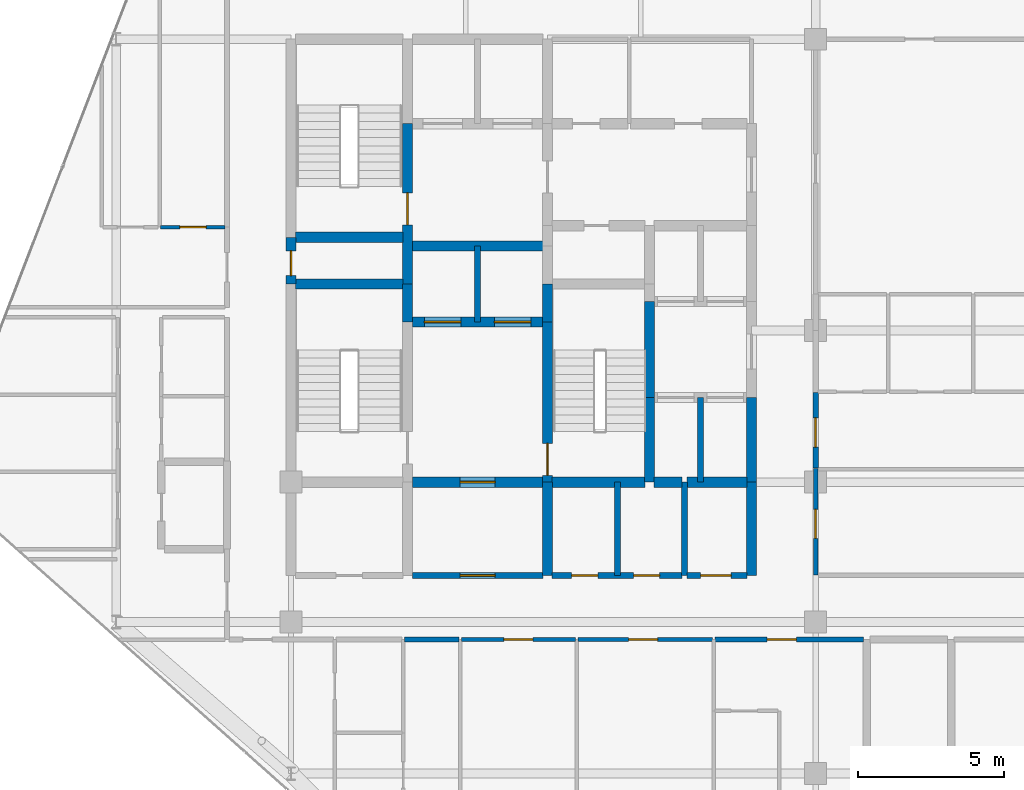
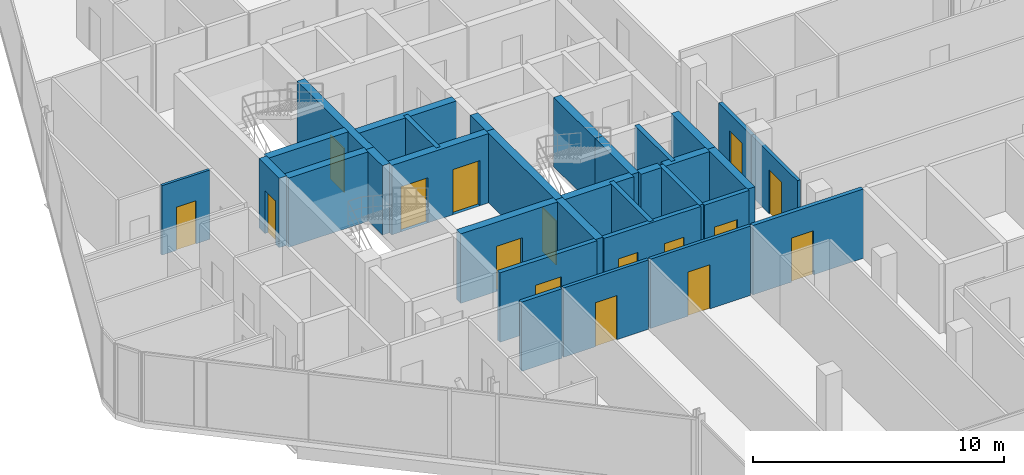
# One storey, part 24 of 29: 32 walls, 16 doors, 16 openings.
"""IFC4 building model written with IfcOpenShell, lengths in metres."""

from ifc_helpers import new_model, si_unit, direction, frame, frame_2d, origin, place, context, subcontext, project, spatial, rectangle, extrude, material, layer, layer_set, type_object, element, fill, save


model = new_model("IFC4")

# Units and contexts
model_context = context("Model", 3, precision=1e-05, world=origin(), true_north=direction((0.0, 1.0)))
body_context = subcontext(model_context, "Body", "Model", "MODEL_VIEW")
ifc_project = project(units=[si_unit("LENGTHUNIT", "METRE"), si_unit("AREAUNIT", "SQUARE_METRE"), si_unit("VOLUMEUNIT", "CUBIC_METRE"), si_unit("PLANEANGLEUNIT", "RADIAN"), si_unit("MASSUNIT", "GRAM", prefix="KILO")], contexts=[model_context])

# Site, building, storey
site_placement = place(None, origin())
site = spatial("IfcSite", under=ifc_project, at=site_placement, CompositionType="ELEMENT")
building_placement = place(site_placement, origin())
building = spatial("IfcBuilding", under=site, at=building_placement, Name="Keshet Zoharim Tower", CompositionType="ELEMENT")
storey_placement = place(building_placement, frame((0.0, 0.0, 214.300048828125)))
storey = spatial("IfcBuildingStorey", under=building, at=storey_placement, Name="L53", CompositionType="ELEMENT", Elevation=214.300048828125)

# Wall, opening, door
ifc_material_1 = material(Name="Gypsum Plasterboard", Category="gypsum")
ifc_layer_1 = layer(ifc_material_1, 0.14990234375)
ifc_layer_set_1 = layer_set([ifc_layer_1], Name="Gypsum Plasterboard")
wall_type_1 = type_object("IfcWallType", Name="WL-CLIN-150", PredefinedType="STANDARD", material=ifc_layer_set_1)
wall_1_placement = place(storey_placement, frame((33.0, 19.510009765625, 0.0), z_axis=(0.0, 0.0, 1.0), x_axis=(0.0, 1.0, 0.0)))
wall_1 = element("IfcWall", 1, at=wall_1_placement, inside=storey, type_object=wall_type_1, Name="L53 Interior Wall 068", PredefinedType="STANDARD", context=body_context, shape_type="SweptSolid", body=[
    extrude(rectangle(XDim=3.659912109375, YDim=0.14990234375, at=frame_2d((1.830078125, 0.0))), origin(), (0.0, 0.0, 1.0), 2.97998046875),
])
opening_1_placement = place(wall_1_placement, frame((1.258056640625, 0.0, 0.0)))
opening_1 = element("IfcOpeningElement", 2, at=opening_1_placement, cuts=wall_1, Name="Opening D-F310", PredefinedType="OPENING", context=body_context, shape_type="SweptSolid", body=[
    extrude(rectangle(XDim=1.0, YDim=2.14990234375, at=frame_2d((0.5, 1.074951171875))), frame((0.0, 0.0849609375, 0.0), z_axis=(0.0, -1.0, 0.0), x_axis=(1.0, 0.0, 0.0)), (0.0, 0.0, 1.0), 0.169921875),
])
ifc_material_2 = material(Name="Hardwood Timber", Category="wood")
door_type_1 = type_object("IfcDoorType", Name="DR-FD30-100", OperationType="NOTDEFINED", PredefinedType="DOOR", material=ifc_material_2)
door_1_placement = place(opening_1_placement, origin())
door_1 = element("IfcDoor", 3, at=door_1_placement, inside=storey, type_object=door_type_1, Name="L53 South East Residents Services Suite Door 2", OperationType="SINGLE_SWING_LEFT", OverallHeight=2.14990234375, OverallWidth=1.0, PredefinedType="DOOR", context=body_context, shape_type="SweptSolid", body=[
    extrude(rectangle(XDim=1.0, YDim=2.14990234375, at=frame_2d((0.5, 1.074951171875))), frame((0.0, 0.02490234375, 0.0), z_axis=(0.0, -1.0, 0.0), x_axis=(1.0, 0.0, 0.0)), (0.0, 0.0, 1.0), 0.050048828125),
])
fill(opening_1, door_1)

wall_2_placement = place(storey_placement, frame((20.844970703125, 17.300048828125, 0.0), z_axis=(0.0, 0.0, 1.0), x_axis=(1.0, 0.0, 0.0)))
wall_2 = element("IfcWall", 4, at=wall_2_placement, inside=storey, type_object=wall_type_1, Name="L53 Interior Wall 121", PredefinedType="STANDARD", context=body_context, shape_type="SweptSolid", body=[
    extrude(rectangle(XDim=3.909912109375, YDim=0.14990234375, at=frame_2d((1.955078125, 0.0))), origin(), (0.0, 0.0, 1.0), 3.3798828125),
])
opening_2_placement = place(wall_2_placement, frame((1.455078125, 0.0, 0.0)))
opening_2 = element("IfcOpeningElement", 5, at=opening_2_placement, cuts=wall_2, Name="Opening D-F310", PredefinedType="OPENING", context=body_context, shape_type="SweptSolid", body=[
    extrude(rectangle(XDim=1.0, YDim=2.14990234375, at=frame_2d((0.5, 1.074951171875))), frame((0.0, 0.0849609375, 0.0), z_axis=(0.0, -1.0, 0.0), x_axis=(1.0, 0.0, 0.0)), (0.0, 0.0, 1.0), 0.169921875),
])
door_2_placement = place(opening_2_placement, origin())
door_2 = element("IfcDoor", 6, at=door_2_placement, inside=storey, type_object=door_type_1, Name="L53 Residents Music Studio Door", OperationType="SINGLE_SWING_RIGHT", OverallHeight=2.14990234375, OverallWidth=1.0, PredefinedType="DOOR", context=body_context, shape_type="SweptSolid", body=[
    extrude(rectangle(XDim=1.0, YDim=2.14990234375, at=frame_2d((0.5, 1.074951171875))), frame((0.0, 0.02490234375, 0.0), z_axis=(0.0, -1.0, 0.0), x_axis=(1.0, 0.0, 0.0)), (0.0, 0.0, 1.0), 0.050048828125),
])
fill(opening_2, door_2)

wall_3_placement = place(storey_placement, frame((24.844970703125, 17.300048828125, 0.0), z_axis=(0.0, 0.0, 1.0), x_axis=(1.0, 0.0, 0.0)))
wall_3 = element("IfcWall", 7, at=wall_3_placement, inside=storey, type_object=wall_type_1, Name="L53 Interior Wall 122", PredefinedType="STANDARD", context=body_context, shape_type="SweptSolid", body=[
    extrude(rectangle(XDim=4.610107421875, YDim=0.14990234375, at=frame_2d((2.30517578125, 0.0))), origin(), (0.0, 0.0, 1.0), 3.3798828125),
])
opening_3_placement = place(wall_3_placement, frame((1.73388671875, 0.0, 0.0)))
opening_3 = element("IfcOpeningElement", 8, at=opening_3_placement, cuts=wall_3, Name="Opening D-F310", PredefinedType="OPENING", context=body_context, shape_type="SweptSolid", body=[
    extrude(rectangle(XDim=1.0, YDim=2.14990234375, at=frame_2d((0.5, 1.074951171875))), frame((0.0, 0.0849609375, 0.0), z_axis=(0.0, -1.0, 0.0), x_axis=(1.0, 0.0, 0.0)), (0.0, 0.0, 1.0), 0.169921875),
])
door_3_placement = place(opening_3_placement, origin())
door_3 = element("IfcDoor", 9, at=door_3_placement, inside=storey, type_object=door_type_1, Name="L53 Residents Art Workshop Door", OperationType="SINGLE_SWING_LEFT", OverallHeight=2.14990234375, OverallWidth=1.0, PredefinedType="DOOR", context=body_context, shape_type="SweptSolid", body=[
    extrude(rectangle(XDim=1.0, YDim=2.14990234375, at=frame_2d((0.5, 1.074951171875))), frame((0.0, 0.02490234375, 0.0), z_axis=(0.0, -1.0, 0.0), x_axis=(1.0, 0.0, 0.0)), (0.0, 0.0, 1.0), 0.050048828125),
])
fill(opening_3, door_3)

ifc_material_3 = material(Name="Concrete C60/75", Category="concrete")
ifc_layer_2 = layer(ifc_material_3, 0.35009765625)
ifc_layer_set_2 = layer_set([ifc_layer_2], Name="Concrete C60/75")
wall_type_2 = type_object("IfcWallType", Name="WL-CORE-350", PredefinedType="SHEAR", material=ifc_layer_set_2)
wall_4_placement = place(storey_placement, frame((15.0, 29.5, 0.0), z_axis=(0.0, 0.0, 1.0), x_axis=(0.0, 1.0, 0.0)))
wall_4 = element("IfcWall", 10, at=wall_4_placement, inside=storey, type_object=wall_type_2, Name="L53 Core Shear Wall 015", PredefinedType="SHEAR", context=body_context, shape_type="SweptSolid", body=[
    extrude(rectangle(XDim=1.60009765625, YDim=0.35009765625, at=frame_2d((0.800048828125, 0.0))), origin(), (0.0, 0.0, 1.0), 3.3798828125),
])
opening_4_placement = place(wall_4_placement, frame((0.287109375, 0.0, 0.0)))
opening_4 = element("IfcOpeningElement", 11, at=opening_4_placement, cuts=wall_4, Name="Opening D-RS85", PredefinedType="OPENING", context=body_context, shape_type="SweptSolid", body=[
    extrude(rectangle(XDim=0.85009765625, YDim=2.10009765625, at=frame_2d((0.425048828125, 1.050048828125))), frame((0.0, 0.18505859375, 0.0), z_axis=(0.0, -1.0, 0.0), x_axis=(1.0, 0.0, 0.0)), (0.0, 0.0, 1.0), 0.3701171875),
])
door_type_2 = type_object("IfcDoorType", Name="DR-RIS-085", OperationType="NOTDEFINED", PredefinedType="DOOR", material=ifc_material_2)
door_4_placement = place(opening_4_placement, origin())
door_4 = element("IfcDoor", 12, at=door_4_placement, inside=storey, type_object=door_type_2, Name="L53 Electrical Riser Access Cupboard Door", OperationType="SINGLE_SWING_RIGHT", OverallHeight=2.10009765625, OverallWidth=0.85009765625, PredefinedType="DOOR", context=body_context, shape_type="SweptSolid", body=[
    extrude(rectangle(XDim=0.85009765625, YDim=2.10009765625, at=frame_2d((0.425048828125, 1.050048828125))), frame((0.0, 0.02490234375, 0.0), z_axis=(0.0, -1.0, 0.0), x_axis=(1.0, 0.0, 0.0)), (0.0, 0.0, 1.0), 0.050048828125),
])
fill(opening_4, door_4)

# Wall
wall_5_placement = place(storey_placement, frame((19.0, 28.199951171875, 0.0), z_axis=(0.0, 0.0, 1.0), x_axis=(0.0, 1.0, 0.0)))
element("IfcWall", 13, at=wall_5_placement, inside=storey, type_object=wall_type_2, Name="L53 Core Shear Wall 027", PredefinedType="SHEAR", context=body_context, shape_type="SweptSolid", body=[
    extrude(rectangle(XDim=1.300048828125, YDim=0.35009765625, at=frame_2d((0.64990234375, 0.0))), origin(), (0.0, 0.0, 1.0), 3.3798828125),
])

# Wall, opening, door
wall_6_placement = place(storey_placement, frame((19.0, 29.5, 0.0), z_axis=(0.0, 0.0, 1.0), x_axis=(0.0, 1.0, 0.0)))
wall_6 = element("IfcWall", 14, at=wall_6_placement, inside=storey, type_object=wall_type_2, Name="L53 Core Shear Wall 028", PredefinedType="SHEAR", context=body_context, shape_type="SweptSolid", body=[
    extrude(rectangle(XDim=5.5, YDim=0.35009765625, at=frame_2d((2.75, 0.0))), origin(), (0.0, 0.0, 1.0), 3.3798828125),
])
opening_5_placement = place(wall_6_placement, frame((2.02490234375, 0.0, 0.0)))
opening_5 = element("IfcOpeningElement", 15, at=opening_5_placement, cuts=wall_6, Name="Opening D-F611", PredefinedType="OPENING", context=body_context, shape_type="SweptSolid", body=[
    extrude(rectangle(XDim=1.10009765625, YDim=2.14990234375, at=frame_2d((0.550048828125, 1.074951171875))), frame((0.0, 0.18505859375, 0.0), z_axis=(0.0, -1.0, 0.0), x_axis=(1.0, 0.0, 0.0)), (0.0, 0.0, 1.0), 0.3701171875),
])
door_type_3 = type_object("IfcDoorType", Name="DR-FD60-110", OperationType="NOTDEFINED", PredefinedType="DOOR", material=ifc_material_2)
door_5_placement = place(opening_5_placement, origin())
door_5 = element("IfcDoor", 16, at=door_5_placement, inside=storey, type_object=door_type_3, Name="L53 Exit Stair ST-02 Fire Door", OperationType="SINGLE_SWING_RIGHT", OverallHeight=2.14990234375, OverallWidth=1.10009765625, PredefinedType="DOOR", context=body_context, shape_type="SweptSolid", body=[
    extrude(rectangle(XDim=1.10009765625, YDim=2.14990234375, at=frame_2d((0.550048828125, 1.074951171875))), frame((0.0, 0.02490234375, 0.0), z_axis=(0.0, -1.0, 0.0), x_axis=(1.0, 0.0, 0.0)), (0.0, 0.0, 1.0), 0.050048828125),
])
fill(opening_5, door_5)

# Wall
wall_7_placement = place(storey_placement, frame((23.800048828125, 19.5, 0.0), z_axis=(0.0, 0.0, 1.0), x_axis=(0.0, 1.0, 0.0)))
element("IfcWall", 17, at=wall_7_placement, inside=storey, type_object=wall_type_2, Name="L53 Core Shear Wall 037", PredefinedType="SHEAR", context=body_context, shape_type="SweptSolid", body=[
    extrude(rectangle(XDim=3.199951171875, YDim=0.35009765625, at=frame_2d((1.60009765625, 0.0))), origin(), (0.0, 0.0, 1.0), 3.3798828125),
])

# Wall, opening, door
wall_8_placement = place(storey_placement, frame((23.800048828125, 22.699951171875, 0.0), z_axis=(0.0, 0.0, 1.0), x_axis=(0.0, 1.0, 0.0)))
wall_8 = element("IfcWall", 18, at=wall_8_placement, inside=storey, type_object=wall_type_2, Name="L53 Core Shear Wall 038", PredefinedType="SHEAR", context=body_context, shape_type="SweptSolid", body=[
    extrude(rectangle(XDim=5.5, YDim=0.35009765625, at=frame_2d((2.75, 0.0))), origin(), (0.0, 0.0, 1.0), 3.3798828125),
])
opening_6_placement = place(wall_8_placement, frame((0.235107421875, 0.0, 0.0)))
opening_6 = element("IfcOpeningElement", 19, at=opening_6_placement, cuts=wall_8, Name="Opening D-F611", PredefinedType="OPENING", context=body_context, shape_type="SweptSolid", body=[
    extrude(rectangle(XDim=1.10009765625, YDim=2.14990234375, at=frame_2d((0.550048828125, 1.074951171875))), frame((0.0, 0.18505859375, 0.0), z_axis=(0.0, -1.0, 0.0), x_axis=(1.0, 0.0, 0.0)), (0.0, 0.0, 1.0), 0.3701171875),
])
door_6_placement = place(opening_6_placement, frame((1.10009765625, 0.0, 0.0), z_axis=(0.0, 0.0, 1.0), x_axis=(-1.0, 0.0, 0.0)))
door_6 = element("IfcDoor", 20, at=door_6_placement, inside=storey, type_object=door_type_3, Name="L53 Exit Stair ST-03 Fire Door", OperationType="SINGLE_SWING_LEFT", OverallHeight=2.14990234375, OverallWidth=1.10009765625, PredefinedType="DOOR", context=body_context, shape_type="SweptSolid", body=[
    extrude(rectangle(XDim=1.10009765625, YDim=2.14990234375, at=frame_2d((0.550048828125, 1.074951171875))), frame((0.0, 0.02490234375, 0.0), z_axis=(0.0, -1.0, 0.0), x_axis=(1.0, 0.0, 0.0)), (0.0, 0.0, 1.0), 0.050048828125),
])
fill(opening_6, door_6)

# Walls
wall_9_placement = place(storey_placement, frame((23.800048828125, 28.199951171875, 0.0), z_axis=(0.0, 0.0, 1.0), x_axis=(0.0, 1.0, 0.0)))
element("IfcWall", 21, at=wall_9_placement, inside=storey, type_object=wall_type_2, Name="L53 Core Shear Wall 039", PredefinedType="SHEAR", context=body_context, shape_type="SweptSolid", body=[
    extrude(rectangle(XDim=1.300048828125, YDim=0.35009765625, at=frame_2d((0.64990234375, 0.0))), origin(), (0.0, 0.0, 1.0), 3.3798828125),
])
wall_10_placement = place(storey_placement, frame((27.300048828125, 22.699951171875, 0.0), z_axis=(0.0, 0.0, 1.0), x_axis=(0.0, 1.0, 0.0)))
element("IfcWall", 22, at=wall_10_placement, inside=storey, type_object=wall_type_2, Name="L53 Core Shear Wall 049", PredefinedType="SHEAR", context=body_context, shape_type="SweptSolid", body=[
    extrude(rectangle(XDim=2.900146484375, YDim=0.35009765625, at=frame_2d((1.4501953125, 0.0))), origin(), (0.0, 0.0, 1.0), 3.3798828125),
])
wall_11_placement = place(storey_placement, frame((27.300048828125, 25.60009765625, 0.0), z_axis=(0.0, 0.0, 1.0), x_axis=(0.0, 1.0, 0.0)))
element("IfcWall", 23, at=wall_11_placement, inside=storey, type_object=wall_type_2, Name="L53 Core Shear Wall 050", PredefinedType="SHEAR", context=body_context, shape_type="SweptSolid", body=[
    extrude(rectangle(XDim=3.2998046875, YDim=0.35009765625, at=frame_2d((1.64990234375, 0.0))), origin(), (0.0, 0.0, 1.0), 3.3798828125),
])
wall_12_placement = place(storey_placement, frame((30.800048828125, 19.5, 0.0), z_axis=(0.0, 0.0, 1.0), x_axis=(0.0, 1.0, 0.0)))
element("IfcWall", 24, at=wall_12_placement, inside=storey, type_object=wall_type_2, Name="L53 Core Shear Wall 061", PredefinedType="SHEAR", context=body_context, shape_type="SweptSolid", body=[
    extrude(rectangle(XDim=3.199951171875, YDim=0.35009765625, at=frame_2d((1.60009765625, 0.0))), origin(), (0.0, 0.0, 1.0), 3.3798828125),
])
wall_13_placement = place(storey_placement, frame((30.800048828125, 22.699951171875, 0.0), z_axis=(0.0, 0.0, 1.0), x_axis=(0.0, 1.0, 0.0)))
element("IfcWall", 25, at=wall_13_placement, inside=storey, type_object=wall_type_2, Name="L53 Core Shear Wall 062", PredefinedType="SHEAR", context=body_context, shape_type="SweptSolid", body=[
    extrude(rectangle(XDim=2.900146484375, YDim=0.35009765625, at=frame_2d((1.4501953125, 0.0))), origin(), (0.0, 0.0, 1.0), 3.3798828125),
])

# Wall, opening, door
wall_14_placement = place(storey_placement, frame((19.159912109375, 22.699951171875, 0.0), z_axis=(0.0, 0.0, 1.0), x_axis=(1.0, 0.0, 0.0)))
wall_14 = element("IfcWall", 26, at=wall_14_placement, inside=storey, type_object=wall_type_2, Name="L53 Core Shear Wall 141", PredefinedType="SHEAR", context=body_context, shape_type="SweptSolid", body=[
    extrude(rectangle(XDim=4.47998046875, YDim=0.35009765625, at=frame_2d((2.239990234375, 0.0))), origin(), (0.0, 0.0, 1.0), 3.3798828125),
])
opening_7_placement = place(wall_14_placement, frame((1.639892578125, 0.0, 0.0)))
opening_7 = element("IfcOpeningElement", 27, at=opening_7_placement, cuts=wall_14, Name="Opening D-F612", PredefinedType="OPENING", context=body_context, shape_type="SweptSolid", body=[
    extrude(rectangle(XDim=1.199951171875, YDim=2.199951171875, at=frame_2d((0.60009765625, 1.10009765625))), frame((0.0, 0.18505859375, 0.0), z_axis=(0.0, -1.0, 0.0), x_axis=(1.0, 0.0, 0.0)), (0.0, 0.0, 1.0), 0.3701171875),
])
door_type_4 = type_object("IfcDoorType", Name="DR-FD60-120", OperationType="NOTDEFINED", PredefinedType="DOOR", material=ifc_material_2)
door_7_placement = place(opening_7_placement, origin())
door_7 = element("IfcDoor", 28, at=door_7_placement, inside=storey, type_object=door_type_4, Name="L53 South Core Lobby Fire Door", OperationType="SINGLE_SWING_RIGHT", OverallHeight=2.199951171875, OverallWidth=1.199951171875, PredefinedType="DOOR", context=body_context, shape_type="SweptSolid", body=[
    extrude(rectangle(XDim=1.199951171875, YDim=2.199951171875, at=frame_2d((0.60009765625, 1.10009765625))), frame((0.0, 0.02490234375, 0.0), z_axis=(0.0, -1.0, 0.0), x_axis=(1.0, 0.0, 0.0)), (0.0, 0.0, 1.0), 0.050048828125),
])
fill(opening_7, door_7)

# Walls
wall_15_placement = place(storey_placement, frame((23.9599609375, 22.699951171875, 0.0), z_axis=(0.0, 0.0, 1.0), x_axis=(1.0, 0.0, 0.0)))
element("IfcWall", 29, at=wall_15_placement, inside=storey, type_object=wall_type_2, Name="L53 Core Shear Wall 142", PredefinedType="SHEAR", context=body_context, shape_type="SweptSolid", body=[
    extrude(rectangle(XDim=3.179931640625, YDim=0.35009765625, at=frame_2d((1.58984375, 0.0))), origin(), (0.0, 0.0, 1.0), 3.3798828125),
])
wall_16_placement = place(storey_placement, frame((27.4599609375, 22.699951171875, 0.0), z_axis=(0.0, 0.0, 1.0), x_axis=(1.0, 0.0, 0.0)))
element("IfcWall", 30, at=wall_16_placement, inside=storey, type_object=wall_type_2, Name="L53 Core Shear Wall 143", PredefinedType="SHEAR", context=body_context, shape_type="SweptSolid", body=[
    extrude(rectangle(XDim=0.955078125, YDim=0.35009765625, at=frame_2d((0.4775390625, 0.0))), origin(), (0.0, 0.0, 1.0), 3.3798828125),
])
wall_17_placement = place(storey_placement, frame((28.5849609375, 22.699951171875, 0.0), z_axis=(0.0, 0.0, 1.0), x_axis=(1.0, 0.0, 0.0)))
element("IfcWall", 31, at=wall_17_placement, inside=storey, type_object=wall_type_2, Name="L53 Core Shear Wall 144", PredefinedType="SHEAR", context=body_context, shape_type="SweptSolid", body=[
    extrude(rectangle(XDim=2.054931640625, YDim=0.35009765625, at=frame_2d((1.02734375, 0.0))), origin(), (0.0, 0.0, 1.0), 3.3798828125),
])

# Wall, openings, doors
wall_18_placement = place(storey_placement, frame((19.159912109375, 28.199951171875, 0.0), z_axis=(0.0, 0.0, 1.0), x_axis=(1.0, 0.0, 0.0)))
wall_18 = element("IfcWall", 32, at=wall_18_placement, inside=storey, type_object=wall_type_2, Name="L53 Core Shear Wall 154", PredefinedType="SHEAR", context=body_context, shape_type="SweptSolid", body=[
    extrude(rectangle(XDim=4.47998046875, YDim=0.35009765625, at=frame_2d((2.239990234375, 0.0))), origin(), (0.0, 0.0, 1.0), 3.3798828125),
])
opening_8_placement = place(wall_18_placement, frame((0.4150390625, 0.0, 0.0)))
opening_8 = element("IfcOpeningElement", 33, at=opening_8_placement, cuts=wall_18, Name="Opening LD-01", PredefinedType="OPENING", context=body_context, shape_type="SweptSolid", body=[
    extrude(rectangle(XDim=1.25, YDim=2.199951171875, at=frame_2d((0.625, 1.10009765625))), frame((0.0, 0.18505859375, 0.0), z_axis=(0.0, -1.0, 0.0), x_axis=(1.0, 0.0, 0.0)), (0.0, 0.0, 1.0), 0.3701171875),
])
opening_9_placement = place(wall_18_placement, frame((2.81494140625, 0.0, 0.0)))
opening_9 = element("IfcOpeningElement", 34, at=opening_9_placement, cuts=wall_18, Name="Opening LD-01", PredefinedType="OPENING", context=body_context, shape_type="SweptSolid", body=[
    extrude(rectangle(XDim=1.25, YDim=2.199951171875, at=frame_2d((0.625, 1.10009765625))), frame((0.0, 0.18505859375, 0.0), z_axis=(0.0, -1.0, 0.0), x_axis=(1.0, 0.0, 0.0)), (0.0, 0.0, 1.0), 0.3701171875),
])
ifc_material_4 = material(Name="Steel S355", Category="steel")
door_type_5 = type_object("IfcDoorType", Name="DR-LD01-125", OperationType="DOUBLE_DOOR_SLIDING", PredefinedType="DOOR", material=ifc_material_4)
door_8_placement = place(opening_8_placement, origin())
door_8 = element("IfcDoor", 35, at=door_8_placement, inside=storey, type_object=door_type_5, Name="L53 Passenger Lift Landing Door LF-09", OperationType="DOUBLE_DOOR_SLIDING", OverallHeight=2.199951171875, OverallWidth=1.25, PredefinedType="DOOR", context=body_context, shape_type="SweptSolid", body=[
    extrude(rectangle(XDim=1.25, YDim=2.199951171875, at=frame_2d((0.625, 1.10009765625))), frame((0.0, 0.02490234375, 0.0), z_axis=(0.0, -1.0, 0.0), x_axis=(1.0, 0.0, 0.0)), (0.0, 0.0, 1.0), 0.050048828125),
])
fill(opening_8, door_8)
door_9_placement = place(opening_9_placement, origin())
door_9 = element("IfcDoor", 36, at=door_9_placement, inside=storey, type_object=door_type_5, Name="L53 Passenger Lift Landing Door LF-10", OperationType="DOUBLE_DOOR_SLIDING", OverallHeight=2.199951171875, OverallWidth=1.25, PredefinedType="DOOR", context=body_context, shape_type="SweptSolid", body=[
    extrude(rectangle(XDim=1.25, YDim=2.199951171875, at=frame_2d((0.625, 1.10009765625))), frame((0.0, 0.02490234375, 0.0), z_axis=(0.0, -1.0, 0.0), x_axis=(1.0, 0.0, 0.0)), (0.0, 0.0, 1.0), 0.050048828125),
])
fill(opening_9, door_9)

# Walls
wall_19_placement = place(storey_placement, frame((15.159912109375, 29.5, 0.0), z_axis=(0.0, 0.0, 1.0), x_axis=(1.0, 0.0, 0.0)))
element("IfcWall", 37, at=wall_19_placement, inside=storey, type_object=wall_type_2, Name="L53 Core Shear Wall 163", PredefinedType="SHEAR", context=body_context, shape_type="SweptSolid", body=[
    extrude(rectangle(XDim=3.68017578125, YDim=0.35009765625, at=frame_2d((1.840087890625, 0.0))), origin(), (0.0, 0.0, 1.0), 3.3798828125),
])
wall_20_placement = place(storey_placement, frame((19.159912109375, 30.800048828125, 0.0), z_axis=(0.0, 0.0, 1.0), x_axis=(1.0, 0.0, 0.0)))
element("IfcWall", 38, at=wall_20_placement, inside=storey, type_object=wall_type_2, Name="L53 Core Shear Wall 165", PredefinedType="SHEAR", context=body_context, shape_type="SweptSolid", body=[
    extrude(rectangle(XDim=4.47998046875, YDim=0.35009765625, at=frame_2d((2.239990234375, 0.0))), origin(), (0.0, 0.0, 1.0), 3.3798828125),
])
wall_21_placement = place(storey_placement, frame((15.159912109375, 31.10009765625, 0.0), z_axis=(0.0, 0.0, 1.0), x_axis=(1.0, 0.0, 0.0)))
element("IfcWall", 39, at=wall_21_placement, inside=storey, type_object=wall_type_2, Name="L53 Core Shear Wall 166", PredefinedType="SHEAR", context=body_context, shape_type="SweptSolid", body=[
    extrude(rectangle(XDim=3.68017578125, YDim=0.35009765625, at=frame_2d((1.840087890625, 0.0))), origin(), (0.0, 0.0, 1.0), 3.3798828125),
])

# Wall, opening, door
ifc_layer_3 = layer(ifc_material_1, 0.179931640625)
ifc_layer_set_3 = layer_set([ifc_layer_3], Name="Gypsum Plasterboard")
wall_type_3 = type_object("IfcWallType", Name="WL-CORR-180", PredefinedType="STANDARD", material=ifc_layer_set_3)
wall_22_placement = place(storey_placement, frame((33.0, 23.179931640625, 0.0), z_axis=(0.0, 0.0, 1.0), x_axis=(0.0, 1.0, 0.0)))
wall_22 = element("IfcWall", 40, at=wall_22_placement, inside=storey, type_object=wall_type_3, Name="L53 Interior Wall 069", PredefinedType="STANDARD", context=body_context, shape_type="SweptSolid", body=[
    extrude(rectangle(XDim=2.60009765625, YDim=0.179931640625, at=frame_2d((1.300048828125, 0.0))), origin(), (0.0, 0.0, 1.0), 2.97998046875),
])
opening_10_placement = place(wall_22_placement, frame((0.722900390625, 0.0, 0.0)))
opening_10 = element("IfcOpeningElement", 41, at=opening_10_placement, cuts=wall_22, Name="Opening D-F310", PredefinedType="OPENING", context=body_context, shape_type="SweptSolid", body=[
    extrude(rectangle(XDim=1.0, YDim=2.14990234375, at=frame_2d((0.5, 1.074951171875))), frame((0.0, 0.10009765625, 0.0), z_axis=(0.0, -1.0, 0.0), x_axis=(1.0, 0.0, 0.0)), (0.0, 0.0, 1.0), 0.199951171875),
])
door_10_placement = place(opening_10_placement, origin())
door_10 = element("IfcDoor", 42, at=door_10_placement, inside=storey, type_object=door_type_1, Name="Apartment 5309 Entrance Door", OperationType="SINGLE_SWING_RIGHT", OverallHeight=2.14990234375, OverallWidth=1.0, PredefinedType="DOOR", context=body_context, shape_type="SweptSolid", body=[
    extrude(rectangle(XDim=1.0, YDim=2.14990234375, at=frame_2d((0.5, 1.074951171875))), frame((0.0, 0.02490234375, 0.0), z_axis=(0.0, -1.0, 0.0), x_axis=(1.0, 0.0, 0.0)), (0.0, 0.0, 1.0), 0.050048828125),
])
fill(opening_10, door_10)

# Wall
wall_23_placement = place(storey_placement, frame((18.89501953125, 17.300048828125, 0.0), z_axis=(0.0, 0.0, 1.0), x_axis=(1.0, 0.0, 0.0)))
element("IfcWall", 43, at=wall_23_placement, inside=storey, type_object=wall_type_3, Name="L53 Interior Wall 120", PredefinedType="STANDARD", context=body_context, shape_type="SweptSolid", body=[
    extrude(rectangle(XDim=1.85986328125, YDim=0.179931640625, at=frame_2d((0.929931640625, 0.0))), origin(), (0.0, 0.0, 1.0), 3.3798828125),
])

# Wall, opening, door
wall_24_placement = place(storey_placement, frame((29.544921875, 17.300048828125, 0.0), z_axis=(0.0, 0.0, 1.0), x_axis=(1.0, 0.0, 0.0)))
wall_24 = element("IfcWall", 44, at=wall_24_placement, inside=storey, type_object=wall_type_3, Name="L53 Interior Wall 123", PredefinedType="STANDARD", context=body_context, shape_type="SweptSolid", body=[
    extrude(rectangle(XDim=5.094970703125, YDim=0.179931640625, at=frame_2d((2.54736328125, 0.0))), origin(), (0.0, 0.0, 1.0), 3.3798828125),
])
opening_11_placement = place(wall_24_placement, frame((1.7919921875, 0.0, 0.0)))
opening_11 = element("IfcOpeningElement", 45, at=opening_11_placement, cuts=wall_24, Name="Opening D-F310", PredefinedType="OPENING", context=body_context, shape_type="SweptSolid", body=[
    extrude(rectangle(XDim=1.0, YDim=2.14990234375, at=frame_2d((0.5, 1.074951171875))), frame((0.0, 0.10009765625, 0.0), z_axis=(0.0, -1.0, 0.0), x_axis=(1.0, 0.0, 0.0)), (0.0, 0.0, 1.0), 0.199951171875),
])
door_11_placement = place(opening_11_placement, origin())
door_11 = element("IfcDoor", 46, at=door_11_placement, inside=storey, type_object=door_type_1, Name="Apartment 5302 Entrance Door", OperationType="SINGLE_SWING_RIGHT", OverallHeight=2.14990234375, OverallWidth=1.0, PredefinedType="DOOR", context=body_context, shape_type="SweptSolid", body=[
    extrude(rectangle(XDim=1.0, YDim=2.14990234375, at=frame_2d((0.5, 1.074951171875))), frame((0.0, 0.02490234375, 0.0), z_axis=(0.0, -1.0, 0.0), x_axis=(1.0, 0.0, 0.0)), (0.0, 0.0, 1.0), 0.050048828125),
])
fill(opening_11, door_11)

# Walls
ifc_material_5 = material(Name="Concrete C50/60", Category="concrete")
ifc_layer_4 = layer(ifc_material_5, 0.199951171875)
ifc_layer_set_4 = layer_set([ifc_layer_4], Name="Concrete C50/60")
wall_type_4 = type_object("IfcWallType", Name="WL-FIRE-200", PredefinedType="STANDARD", material=ifc_layer_set_4)
wall_25_placement = place(storey_placement, frame((21.39990234375, 28.199951171875, 0.0), z_axis=(0.0, 0.0, 1.0), x_axis=(0.0, 1.0, 0.0)))
element("IfcWall", 47, at=wall_25_placement, inside=storey, type_object=wall_type_4, Name="L53 Interior Wall 032", PredefinedType="STANDARD", context=body_context, shape_type="SweptSolid", body=[
    extrude(rectangle(XDim=2.60009765625, YDim=0.199951171875, at=frame_2d((1.300048828125, 0.0))), origin(), (0.0, 0.0, 1.0), 3.3798828125),
])
for number, where, z_axis, x_axis, name in (
    (48, (26.199951171875, 19.5, 0.0), (0.0, 0.0, 1.0), (0.0, 1.0, 0.0), "L53 Interior Wall 045"),
    (49, (28.5, 19.5, 0.0), (0.0, 0.0, 1.0), (0.0, 1.0, 0.0), "L53 Interior Wall 053"),
):
    element("IfcWall", number, at=place(storey_placement, frame(where, z_axis=z_axis, x_axis=x_axis)), inside=storey, type_object=wall_type_4, Name=name, PredefinedType="STANDARD", context=body_context, shape_type="SweptSolid", body=[
        extrude(rectangle(XDim=3.199951171875, YDim=0.199951171875, at=frame_2d((1.60009765625, 0.0))), origin(), (0.0, 0.0, 1.0), 3.3798828125),
    ])
wall_26_placement = place(storey_placement, frame((29.050048828125, 22.699951171875, 0.0), z_axis=(0.0, 0.0, 1.0), x_axis=(0.0, 1.0, 0.0)))
element("IfcWall", 50, at=wall_26_placement, inside=storey, type_object=wall_type_4, Name="L53 Interior Wall 054", PredefinedType="STANDARD", context=body_context, shape_type="SweptSolid", body=[
    extrude(rectangle(XDim=2.900146484375, YDim=0.199951171875, at=frame_2d((1.4501953125, 0.0))), origin(), (0.0, 0.0, 1.0), 3.3798828125),
])

# Wall, opening, door
wall_27_placement = place(storey_placement, frame((19.159912109375, 19.5, 0.0), z_axis=(0.0, 0.0, 1.0), x_axis=(1.0, 0.0, 0.0)))
wall_27 = element("IfcWall", 51, at=wall_27_placement, inside=storey, type_object=wall_type_4, Name="L53 Interior Wall 133", PredefinedType="STANDARD", context=body_context, shape_type="SweptSolid", body=[
    extrude(rectangle(XDim=4.47998046875, YDim=0.199951171875, at=frame_2d((2.239990234375, 0.0))), origin(), (0.0, 0.0, 1.0), 3.3798828125),
])
opening_12_placement = place(wall_27_placement, frame((1.639892578125, 0.0, 0.0)))
opening_12 = element("IfcOpeningElement", 52, at=opening_12_placement, cuts=wall_27, Name="Opening D-F612", PredefinedType="OPENING", context=body_context, shape_type="SweptSolid", body=[
    extrude(rectangle(XDim=1.199951171875, YDim=2.199951171875, at=frame_2d((0.60009765625, 1.10009765625))), frame((0.0, 0.10986328125, 0.0), z_axis=(0.0, -1.0, 0.0), x_axis=(1.0, 0.0, 0.0)), (0.0, 0.0, 1.0), 0.219970703125),
])
door_12_placement = place(opening_12_placement, origin())
door_12 = element("IfcDoor", 53, at=door_12_placement, inside=storey, type_object=door_type_4, Name="L53 South Vestibule Corridor Door", OperationType="SINGLE_SWING_LEFT", OverallHeight=2.199951171875, OverallWidth=1.199951171875, PredefinedType="DOOR", context=body_context, shape_type="SweptSolid", body=[
    extrude(rectangle(XDim=1.199951171875, YDim=2.199951171875, at=frame_2d((0.60009765625, 1.10009765625))), frame((0.0, 0.02490234375, 0.0), z_axis=(0.0, -1.0, 0.0), x_axis=(1.0, 0.0, 0.0)), (0.0, 0.0, 1.0), 0.050048828125),
])
fill(opening_12, door_12)

# Wall, openings, doors
wall_28_placement = place(storey_placement, frame((23.9599609375, 19.5, 0.0), z_axis=(0.0, 0.0, 1.0), x_axis=(1.0, 0.0, 0.0)))
wall_28 = element("IfcWall", 54, at=wall_28_placement, inside=storey, type_object=wall_type_4, Name="L53 Interior Wall 134", PredefinedType="STANDARD", context=body_context, shape_type="SweptSolid", body=[
    extrude(rectangle(XDim=4.455078125, YDim=0.199951171875, at=frame_2d((2.2275390625, 0.0))), origin(), (0.0, 0.0, 1.0), 3.3798828125),
])
opening_13_placement = place(wall_28_placement, frame((0.6650390625, 0.0, 0.0)))
opening_13 = element("IfcOpeningElement", 55, at=opening_13_placement, cuts=wall_28, Name="Opening D-F690", PredefinedType="OPENING", context=body_context, shape_type="SweptSolid", body=[
    extrude(rectangle(XDim=0.89990234375, YDim=2.14990234375, at=frame_2d((0.449951171875, 1.074951171875))), frame((0.0, 0.10986328125, 0.0), z_axis=(0.0, -1.0, 0.0), x_axis=(1.0, 0.0, 0.0)), (0.0, 0.0, 1.0), 0.219970703125),
])
opening_14_placement = place(wall_28_placement, frame((2.791015625, 0.0, 0.0)))
opening_14 = element("IfcOpeningElement", 56, at=opening_14_placement, cuts=wall_28, Name="Opening D-F690", PredefinedType="OPENING", context=body_context, shape_type="SweptSolid", body=[
    extrude(rectangle(XDim=0.89990234375, YDim=2.14990234375, at=frame_2d((0.449951171875, 1.074951171875))), frame((0.0, 0.10986328125, 0.0), z_axis=(0.0, -1.0, 0.0), x_axis=(1.0, 0.0, 0.0)), (0.0, 0.0, 1.0), 0.219970703125),
])
door_type_6 = type_object("IfcDoorType", Name="DR-FD60-090", OperationType="NOTDEFINED", PredefinedType="DOOR", material=ifc_material_2)
door_13_placement = place(opening_13_placement, origin())
door_13 = element("IfcDoor", 57, at=door_13_placement, inside=storey, type_object=door_type_6, Name="L53 Switchgear Room Door", OperationType="SINGLE_SWING_RIGHT", OverallHeight=2.14990234375, OverallWidth=0.89990234375, PredefinedType="DOOR", context=body_context, shape_type="SweptSolid", body=[
    extrude(rectangle(XDim=0.89990234375, YDim=2.14990234375, at=frame_2d((0.449951171875, 1.074951171875))), frame((0.0, 0.02490234375, 0.0), z_axis=(0.0, -1.0, 0.0), x_axis=(1.0, 0.0, 0.0)), (0.0, 0.0, 1.0), 0.050048828125),
])
fill(opening_13, door_13)
door_14_placement = place(opening_14_placement, origin())
door_14 = element("IfcDoor", 58, at=door_14_placement, inside=storey, type_object=door_type_6, Name="L53 Telecom Room Door", OperationType="SINGLE_SWING_LEFT", OverallHeight=2.14990234375, OverallWidth=0.89990234375, PredefinedType="DOOR", context=body_context, shape_type="SweptSolid", body=[
    extrude(rectangle(XDim=0.89990234375, YDim=2.14990234375, at=frame_2d((0.449951171875, 1.074951171875))), frame((0.0, 0.02490234375, 0.0), z_axis=(0.0, -1.0, 0.0), x_axis=(1.0, 0.0, 0.0)), (0.0, 0.0, 1.0), 0.050048828125),
])
fill(opening_14, door_14)

# Wall, opening, door
wall_29_placement = place(storey_placement, frame((28.5849609375, 19.5, 0.0), z_axis=(0.0, 0.0, 1.0), x_axis=(1.0, 0.0, 0.0)))
wall_29 = element("IfcWall", 59, at=wall_29_placement, inside=storey, type_object=wall_type_4, Name="L53 Interior Wall 135", PredefinedType="STANDARD", context=body_context, shape_type="SweptSolid", body=[
    extrude(rectangle(XDim=2.054931640625, YDim=0.199951171875, at=frame_2d((1.02734375, 0.0))), origin(), (0.0, 0.0, 1.0), 3.3798828125),
])
opening_15_placement = place(wall_29_placement, frame((0.466064453125, 0.0, 0.0)))
opening_15 = element("IfcOpeningElement", 60, at=opening_15_placement, cuts=wall_29, Name="Opening D-AC10", PredefinedType="OPENING", context=body_context, shape_type="SweptSolid", body=[
    extrude(rectangle(XDim=1.050048828125, YDim=2.14990234375, at=frame_2d((0.52490234375, 1.074951171875))), frame((0.0, 0.10986328125, 0.0), z_axis=(0.0, -1.0, 0.0), x_axis=(1.0, 0.0, 0.0)), (0.0, 0.0, 1.0), 0.219970703125),
])
door_type_7 = type_object("IfcDoorType", Name="DR-ACC-105", OperationType="NOTDEFINED", PredefinedType="DOOR", material=ifc_material_2)
door_15_placement = place(opening_15_placement, origin())
door_15 = element("IfcDoor", 61, at=door_15_placement, inside=storey, type_object=door_type_7, Name="L53 Accessible WC Door", OperationType="SINGLE_SWING_RIGHT", OverallHeight=2.14990234375, OverallWidth=1.050048828125, PredefinedType="DOOR", context=body_context, shape_type="SweptSolid", body=[
    extrude(rectangle(XDim=1.050048828125, YDim=2.14990234375, at=frame_2d((0.52490234375, 1.074951171875))), frame((0.0, 0.02490234375, 0.0), z_axis=(0.0, -1.0, 0.0), x_axis=(1.0, 0.0, 0.0)), (0.0, 0.0, 1.0), 0.050048828125),
])
fill(opening_15, door_15)

ifc_layer_5 = layer(ifc_material_1, 0.1201171875)
ifc_layer_set_5 = layer_set([ifc_layer_5], Name="Gypsum Plasterboard")
wall_type_5 = type_object("IfcWallType", Name="WL-WET-120", PredefinedType="PARTITIONING", material=ifc_layer_set_5)
wall_30_placement = place(storey_placement, frame((10.52294921875, 31.449951171875, 0.0), z_axis=(0.0, 0.0, 1.0), x_axis=(1.0, 0.0, 0.0)))
wall_30 = element("IfcWall", 62, at=wall_30_placement, inside=storey, type_object=wall_type_5, Name="L53 Interior Wall 168", PredefinedType="PARTITIONING", context=body_context, shape_type="SweptSolid", body=[
    extrude(rectangle(XDim=2.2021484375, YDim=0.1201171875, at=frame_2d((1.10107421875, 0.0))), origin(), (0.0, 0.0, 1.0), 3.3798828125),
])
opening_16_placement = place(wall_30_placement, frame((0.666015625, 0.0, 0.0)))
opening_16 = element("IfcOpeningElement", 63, at=opening_16_placement, cuts=wall_30, Name="Opening D-WT90", PredefinedType="OPENING", context=body_context, shape_type="SweptSolid", body=[
    extrude(rectangle(XDim=0.89990234375, YDim=2.10009765625, at=frame_2d((0.449951171875, 1.050048828125))), frame((0.0, 0.070068359375, 0.0), z_axis=(0.0, -1.0, 0.0), x_axis=(1.0, 0.0, 0.0)), (0.0, 0.0, 1.0), 0.14013671875),
])
door_type_8 = type_object("IfcDoorType", Name="DR-WET-090", OperationType="NOTDEFINED", PredefinedType="DOOR", material=ifc_material_2)
door_16_placement = place(opening_16_placement, origin())
door_16 = element("IfcDoor", 64, at=door_16_placement, inside=storey, type_object=door_type_8, Name="Apartment 5308 Bathroom Door", OperationType="SINGLE_SWING_RIGHT", OverallHeight=2.10009765625, OverallWidth=0.89990234375, PredefinedType="DOOR", context=body_context, shape_type="SweptSolid", body=[
    extrude(rectangle(XDim=0.89990234375, YDim=2.10009765625, at=frame_2d((0.449951171875, 1.050048828125))), frame((0.0, 0.02490234375, 0.0), z_axis=(0.0, -1.0, 0.0), x_axis=(1.0, 0.0, 0.0)), (0.0, 0.0, 1.0), 0.050048828125),
])
fill(opening_16, door_16)

save(model, "model.ifc")
